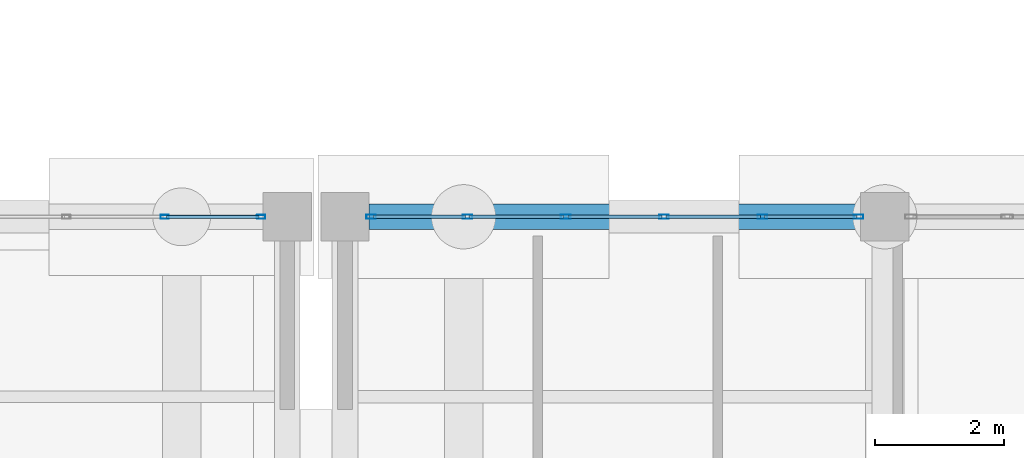
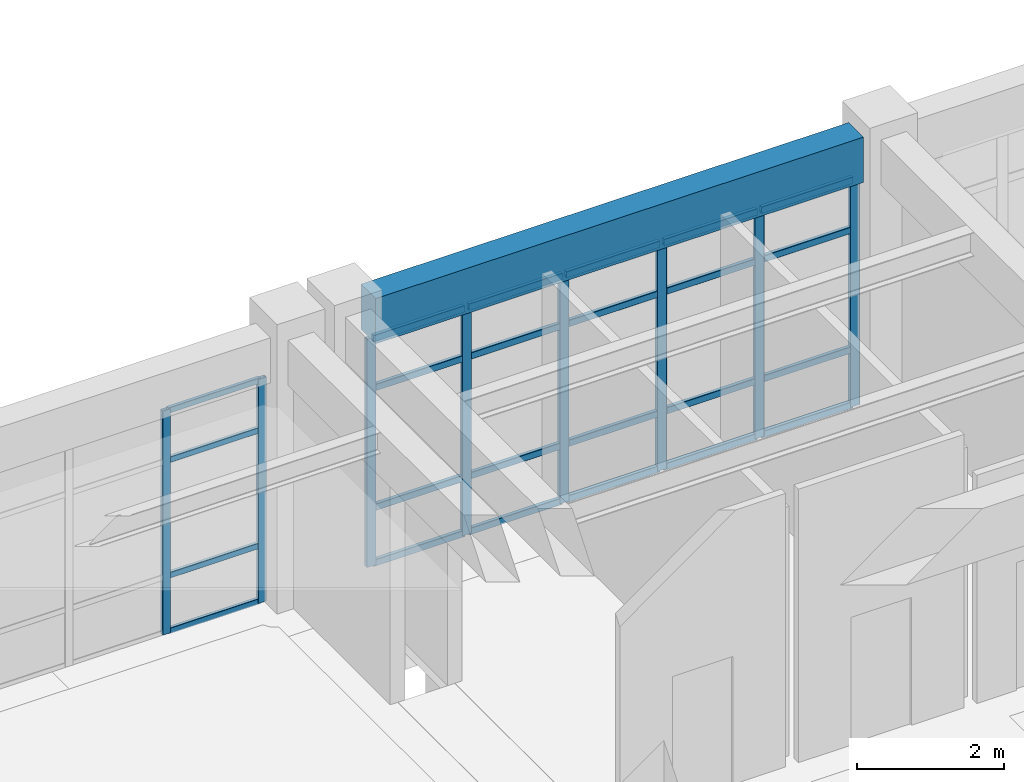
# One storey, part 9 of 29: 32 members, 1 beam, 2 elements without a shape of their own.
"""IFC4 building model written with IfcOpenShell, lengths in metres."""

import ifcopenshell
import ifcopenshell.guid

model = None  # the IFC model being written
_history = None  # IfcOwnerHistory: only IFC2X3 demands one
_inside = {}  # id of a spatial element -> (the spatial element, [elements in it])
_under = {}  # id of a project, library or spatial element -> (it, [spatial elements below it])
_declared = {}  # id of a project -> (the project, [libraries it declares])
_typed = {}  # id of a type object -> (the type object, [elements of that type])
_made_of = {}  # id of a material, layer set ... -> (it, [elements and type objects made of it])


def new_model(schema):
    """Start an empty IFC model of exactly this schema.

    Asked for "IFC4X3", IfcOpenShell would pick the latest addendum, in which some entities
    have other attributes; the version numbers below select the first issue.
    IFC2X3 requires an IfcOwnerHistory on every rooted entity: one is made here for all.
    """
    global model, _history
    if schema == "IFC4X3":
        model = ifcopenshell.file(schema_version=(4, 3, 0, 0))
    else:
        model = ifcopenshell.file(schema=schema)
    _inside.clear()
    _under.clear()
    _declared.clear()
    _typed.clear()
    _made_of.clear()
    _history = None
    if model.schema == "IFC2X3":
        org = make("IfcOrganization", Name="unknown")
        user = make(
            "IfcPersonAndOrganization",
            ThePerson=make("IfcPerson", FamilyName="unknown"),
            TheOrganization=org,
        )
        app = make(
            "IfcApplication",
            ApplicationDeveloper=org,
            Version="unknown",
            ApplicationFullName="unknown",
            ApplicationIdentifier="unknown",
        )
        _history = make(
            "IfcOwnerHistory",
            OwningUser=user,
            OwningApplication=app,
            ChangeAction="ADDED",
            CreationDate=0,
        )
    return model


def make(cls, **values):
    """One entity of the class cls with the attributes given. An attribute that is None is left unset."""
    return model.create_entity(
        cls, **{name: value for name, value in values.items() if value is not None}
    )


def rooted(cls, **values):
    """An entity with a GlobalId (a new one), such as an element, a storey or a relation."""
    return make(cls, GlobalId=ifcopenshell.guid.new(), OwnerHistory=_history, **values)


def si_unit(unit_type, name, prefix=None):
    """IfcSIUnit, for example si_unit("LENGTHUNIT", "METRE", prefix="MILLI")."""
    return make("IfcSIUnit", UnitType=unit_type, Prefix=prefix, Name=name)


def assignment(units):
    """IfcUnitAssignment: the units of a project."""
    return None if units is None else make("IfcUnitAssignment", Units=units)


def point(xyz):
    """IfcCartesianPoint."""
    return None if xyz is None else make("IfcCartesianPoint", Coordinates=xyz)


def direction(xyz):
    """IfcDirection."""
    return None if xyz is None else make("IfcDirection", DirectionRatios=xyz)


def frame(location, z_axis=None, x_axis=None):
    """IfcAxis2Placement3D, a coordinate frame: its origin and axes. An axis left out is left unset."""
    return make(
        "IfcAxis2Placement3D",
        Location=point(location),
        Axis=direction(z_axis),
        RefDirection=direction(x_axis),
    )


def frame_2d(location, x_axis=None):
    """IfcAxis2Placement2D, a coordinate frame in the plane: its origin and x axis."""
    return make(
        "IfcAxis2Placement2D", Location=point(location), RefDirection=direction(x_axis)
    )


def origin():
    """The frame at (0, 0, 0) with its axes left unset."""
    return frame((0.0, 0.0, 0.0))


def origin_2d():
    """The frame at (0, 0) in the plane with its x axis left unset."""
    return frame_2d((0.0, 0.0))


def place(relative_to, where):
    """IfcLocalPlacement: puts the frame where relative to a parent placement (None: the world)."""
    return make(
        "IfcLocalPlacement", PlacementRelTo=relative_to, RelativePlacement=where
    )


def context(
    kind, dimensions, precision=None, world=None, true_north=None, identifier=None
):
    """IfcGeometricRepresentationContext, for example the 3D "Model" context."""
    return make(
        "IfcGeometricRepresentationContext",
        ContextIdentifier=identifier,
        ContextType=kind,
        CoordinateSpaceDimension=dimensions,
        Precision=precision,
        WorldCoordinateSystem=world,
        TrueNorth=true_north,
    )


def subcontext(parent, identifier, kind, view, scale=None):
    """IfcGeometricRepresentationSubContext, for example "Body" below "Model"."""
    return make(
        "IfcGeometricRepresentationSubContext",
        ContextIdentifier=identifier,
        ContextType=kind,
        ParentContext=parent,
        TargetScale=scale,
        TargetView=view,
    )


def project(units=None, contexts=None):
    """IfcProject with its units and contexts."""
    return rooted(
        "IfcProject",
        Name="project",
        RepresentationContexts=contexts,
        UnitsInContext=assignment(units),
    )


def spatial(cls, under=None, at=None, **own):
    """A site, building, storey or space (cls), placed at a placement, below another one or the project."""
    s = rooted(cls, ObjectPlacement=at, **own)
    if under is not None:
        _under.setdefault(under.id(), (under, []))[1].append(s)
    return s


def profile(cls, at=None, kind="AREA", **sizes):
    """A parametric profile (cls). Its sizes go by their IFC names, for example OverallWidth=200.0."""
    return make(cls, ProfileType=kind, Position=at, **sizes)


def rectangle(**sizes):
    """IfcRectangleProfileDef."""
    return profile("IfcRectangleProfileDef", **sizes)


def hollow_rectangle(**sizes):
    """IfcRectangleHollowProfileDef."""
    return profile("IfcRectangleHollowProfileDef", **sizes)


def extrude(swept, where, along, depth):
    """IfcExtrudedAreaSolid: the profile swept, set in the frame where, extruded along a direction by depth."""
    return make(
        "IfcExtrudedAreaSolid",
        SweptArea=swept,
        Position=where,
        ExtrudedDirection=direction(along),
        Depth=depth,
    )


def shape(context_of_items, identifier, shape_type, items):
    """IfcShapeRepresentation: the items that make up one representation, for example the "Body"."""
    return make(
        "IfcShapeRepresentation",
        ContextOfItems=context_of_items,
        RepresentationIdentifier=identifier,
        RepresentationType=shape_type,
        Items=items,
    )


def material(Name=None, Category=None):
    """IfcMaterial."""
    return make("IfcMaterial", Name=Name, Category=Category)


def material_profile(
    of_material, cross_section, Name=None, Category=None, Priority=None
):
    """IfcMaterialProfile: a cross section and its material."""
    return make(
        "IfcMaterialProfile",
        Name=Name,
        Material=of_material,
        Profile=cross_section,
        Priority=Priority,
        Category=Category,
    )


def profile_set(profiles, Name=None, composite=None):
    """IfcMaterialProfileSet."""
    return make(
        "IfcMaterialProfileSet",
        Name=Name,
        MaterialProfiles=profiles,
        CompositeProfile=composite,
    )


def made_of(thing, what):
    """Note that an element or type object is made of a material, layer set ...; save() writes the relation."""
    if what is not None:
        _made_of.setdefault(what.id(), (what, []))[1].append(thing)
    return thing


def type_object(cls, material=None, **own):
    """A type object (cls), such as IfcWallType, which elements share."""
    return made_of(rooted(cls, **own), material)


def element(
    cls,
    number,
    at=None,
    inside=None,
    cuts=None,
    type_object=None,
    material=None,
    context=None,
    identifier="Body",
    shape_type=None,
    held_by="IfcProductDefinitionShape",
    body=None,
    shapes=None,
    **own,
):
    """One element of the class cls, such as IfcWall. Its Tag is "e" and its number.

    at: its placement. inside: the storey or other place that contains it. cuts: it is an
    opening in that element (IfcRelVoidsElement). A single representation is given by context,
    identifier, shape_type and body (its items); several are given by shapes. held_by: the class
    of the entity that holds the representations. save() writes the other relations.
    """
    e = rooted(cls, Tag="e%d" % number, ObjectPlacement=at, **own)
    if body is not None:
        shapes = [shape(context, identifier, shape_type, body)]
    if shapes is not None:
        e.Representation = make(held_by, Representations=shapes)
    if inside is not None:
        _inside.setdefault(inside.id(), (inside, []))[1].append(e)
    if cuts is not None:
        rooted(
            "IfcRelVoidsElement", RelatingBuildingElement=cuts, RelatedOpeningElement=e
        )
    if type_object is not None:
        _typed.setdefault(type_object.id(), (type_object, []))[1].append(e)
    return made_of(e, material)


def aggregate(whole, parts):
    """IfcRelAggregates: a whole, such as a stair, and the parts it consists of."""
    return rooted("IfcRelAggregates", RelatingObject=whole, RelatedObjects=parts)


def save(model, path):
    """Write the relations noted so far, then the file.

    IfcRelAggregates (storeys below a building ...), IfcRelContainedInSpatialStructure (elements
    in a storey), IfcRelDefinesByType, IfcRelAssociatesMaterial and IfcRelDeclares: one each for
    every whole, place, type object, material and project.
    """
    for whole, parts in _under.values():
        aggregate(whole, parts)
    for where, things in _inside.values():
        rooted(
            "IfcRelContainedInSpatialStructure",
            RelatedElements=things,
            RelatingStructure=where,
        )
    for kind, things in _typed.values():
        rooted("IfcRelDefinesByType", RelatedObjects=things, RelatingType=kind)
    for what, things in _made_of.values():
        rooted("IfcRelAssociatesMaterial", RelatedObjects=things, RelatingMaterial=what)
    for by, libraries in _declared.values():
        rooted("IfcRelDeclares", RelatingContext=by, RelatedDefinitions=libraries)
    model.write(path)


model = new_model("IFC4")

# Units and contexts
model_context = context("Model", 3, precision=1e-05, world=origin(), true_north=direction((0.0, 1.0)))
body_context = subcontext(model_context, "Body", "Model", "MODEL_VIEW")
ifc_project = project(units=[si_unit("LENGTHUNIT", "METRE"), si_unit("AREAUNIT", "SQUARE_METRE"), si_unit("VOLUMEUNIT", "CUBIC_METRE"), si_unit("PLANEANGLEUNIT", "RADIAN"), si_unit("MASSUNIT", "GRAM", prefix="KILO")], contexts=[model_context])

# Site, building, storey
site_placement = place(None, origin())
site = spatial("IfcSite", under=ifc_project, at=site_placement, CompositionType="ELEMENT")
building_placement = place(site_placement, origin())
building = spatial("IfcBuilding", under=site, at=building_placement, Name="Canglan Escarpment Cableway Terminal", CompositionType="ELEMENT")
storey_placement = place(building_placement, origin())
storey = spatial("IfcBuildingStorey", under=building, at=storey_placement, Name="L00", CompositionType="ELEMENT", Elevation=0.0)

# Curtain wall, members
ifc_material_1 = material(Name="Anodized bronze aluminium and Low-E double glazing", Category="aluminium")
curtain_wall_type_1 = type_object("IfcCurtainWallType", Name="CW-BAY-7650x3725", PredefinedType="NOTDEFINED", material=ifc_material_1)
curtain_wall_1_placement = place(storey_placement, origin())
curtain_wall_1 = element("IfcCurtainWall", 1, at=curtain_wall_1_placement, inside=storey, type_object=curtain_wall_type_1, Name="Classical bay-between-piers glazed curtain wall CW-01", PredefinedType="NOTDEFINED")
ifc_material_2 = material(Name="Thermally broken anodized aluminium 6063-T6", Category="aluminium")
ifc_material_profile_1 = material_profile(ifc_material_2, hollow_rectangle(XDim=0.06005859375, YDim=0.1298828125, WallThickness=0.0029296875, InnerFilletRadius=0.0029296875, OuterFilletRadius=0.006103515625, at=origin_2d()), Name="ALU-MULL 60x130x3")
ifc_profile_set_1 = profile_set([ifc_material_profile_1], Name="Thermally broken anodized aluminium 6063-T6")
member_type_1 = type_object("IfcMemberType", Name="CWM-01", PredefinedType="MULLION", material=ifc_profile_set_1)
member_1_placement = place(storey_placement, frame((41.195068359375, 24.800048828125, 0.0), z_axis=(0.0, 0.0, 1.0), x_axis=(0.0, -1.0, 0.0)))
member_1 = element("IfcMember", 2, at=member_1_placement, type_object=member_type_1, Name="CW-01 mullion 1", PredefinedType="MULLION", context=body_context, shape_type="SweptSolid", body=[
    extrude(hollow_rectangle(XDim=0.06005859375, YDim=0.1298828125, WallThickness=0.0029296875, InnerFilletRadius=0.0029296875, OuterFilletRadius=0.006103515625, at=origin_2d()), origin(), (0.0, 0.0, 1.0), 3.715087890625),
])
member_2_placement = place(storey_placement, frame((39.695068359375, 24.800048828125, 0.0), z_axis=(0.0, 0.0, 1.0), x_axis=(0.0, -1.0, 0.0)))
member_2 = element("IfcMember", 3, at=member_2_placement, type_object=member_type_1, Name="CW-01 mullion 2", PredefinedType="MULLION", context=body_context, shape_type="SweptSolid", body=[
    extrude(hollow_rectangle(XDim=0.06005859375, YDim=0.1298828125, WallThickness=0.0029296875, InnerFilletRadius=0.0029296875, OuterFilletRadius=0.006103515625, at=origin_2d()), origin(), (0.0, 0.0, 1.0), 3.715087890625),
])

curtain_wall_type_2 = type_object("IfcCurtainWallType", Name="CW-BAY-7650x3775", PredefinedType="NOTDEFINED", material=ifc_material_1)
curtain_wall_2_placement = place(storey_placement, origin())
curtain_wall_2 = element("IfcCurtainWall", 4, at=curtain_wall_2_placement, inside=storey, type_object=curtain_wall_type_2, Name="Classical bay-between-piers glazed curtain wall CW-03", PredefinedType="NOTDEFINED")
ifc_material_profile_2 = material_profile(ifc_material_2, hollow_rectangle(XDim=0.06494140625, YDim=0.14990234375, WallThickness=0.00341796875, InnerFilletRadius=0.00341796875, OuterFilletRadius=0.007080078125, at=origin_2d()), Name="ALU-MULL 65x150x3.5")
ifc_profile_set_2 = profile_set([ifc_material_profile_2], Name="Thermally broken anodized aluminium 6063-T6")
member_type_2 = type_object("IfcMemberType", Name="CWM-02", PredefinedType="MULLION", material=ifc_profile_set_2)
member_3_placement = place(storey_placement, frame((50.492431640625, 24.800048828125, 0.0), z_axis=(0.0, 0.0, 1.0), x_axis=(0.0, -1.0, 0.0)))
member_3 = element("IfcMember", 5, at=member_3_placement, type_object=member_type_2, Name="CW-03 mullion 1", PredefinedType="MULLION", context=body_context, shape_type="SweptSolid", body=[
    extrude(hollow_rectangle(XDim=0.06494140625, YDim=0.14990234375, WallThickness=0.00341796875, InnerFilletRadius=0.00341796875, OuterFilletRadius=0.007080078125, at=origin_2d()), origin(), (0.0, 0.0, 1.0), 3.784912109375),
])
member_4_placement = place(storey_placement, frame((48.9951171875, 24.800048828125, 0.0), z_axis=(0.0, 0.0, 1.0), x_axis=(0.0, -1.0, 0.0)))
member_4 = element("IfcMember", 6, at=member_4_placement, type_object=member_type_2, Name="CW-03 mullion 2", PredefinedType="MULLION", context=body_context, shape_type="SweptSolid", body=[
    extrude(hollow_rectangle(XDim=0.06494140625, YDim=0.14990234375, WallThickness=0.00341796875, InnerFilletRadius=0.00341796875, OuterFilletRadius=0.007080078125, at=origin_2d()), origin(), (0.0, 0.0, 1.0), 3.784912109375),
])
member_5_placement = place(storey_placement, frame((47.465087890625, 24.800048828125, 0.0), z_axis=(0.0, 0.0, 1.0), x_axis=(0.0, -1.0, 0.0)))
member_5 = element("IfcMember", 7, at=member_5_placement, type_object=member_type_2, Name="CW-03 mullion 3", PredefinedType="MULLION", context=body_context, shape_type="SweptSolid", body=[
    extrude(hollow_rectangle(XDim=0.06494140625, YDim=0.14990234375, WallThickness=0.00341796875, InnerFilletRadius=0.00341796875, OuterFilletRadius=0.007080078125, at=origin_2d()), origin(), (0.0, 0.0, 1.0), 3.784912109375),
])
member_6_placement = place(storey_placement, frame((45.93505859375, 24.800048828125, 0.0), z_axis=(0.0, 0.0, 1.0), x_axis=(0.0, -1.0, 0.0)))
member_6 = element("IfcMember", 8, at=member_6_placement, type_object=member_type_2, Name="CW-03 mullion 4", PredefinedType="MULLION", context=body_context, shape_type="SweptSolid", body=[
    extrude(hollow_rectangle(XDim=0.06494140625, YDim=0.14990234375, WallThickness=0.00341796875, InnerFilletRadius=0.00341796875, OuterFilletRadius=0.007080078125, at=origin_2d()), origin(), (0.0, 0.0, 1.0), 3.784912109375),
])
member_7_placement = place(storey_placement, frame((44.405029296875, 24.800048828125, 0.0), z_axis=(0.0, 0.0, 1.0), x_axis=(0.0, -1.0, 0.0)))
member_7 = element("IfcMember", 9, at=member_7_placement, type_object=member_type_2, Name="CW-03 mullion 5", PredefinedType="MULLION", context=body_context, shape_type="SweptSolid", body=[
    extrude(hollow_rectangle(XDim=0.06494140625, YDim=0.14990234375, WallThickness=0.00341796875, InnerFilletRadius=0.00341796875, OuterFilletRadius=0.007080078125, at=origin_2d()), origin(), (0.0, 0.0, 1.0), 3.784912109375),
])
member_8_placement = place(storey_placement, frame((42.907470703125, 24.800048828125, 0.0), z_axis=(0.0, 0.0, 1.0), x_axis=(0.0, -1.0, 0.0)))
member_8 = element("IfcMember", 10, at=member_8_placement, type_object=member_type_2, Name="CW-03 mullion 6", PredefinedType="MULLION", context=body_context, shape_type="SweptSolid", body=[
    extrude(hollow_rectangle(XDim=0.06494140625, YDim=0.14990234375, WallThickness=0.00341796875, InnerFilletRadius=0.00341796875, OuterFilletRadius=0.007080078125, at=origin_2d()), origin(), (0.0, 0.0, 1.0), 3.784912109375),
])

# Member
ifc_material_profile_3 = material_profile(ifc_material_2, hollow_rectangle(XDim=0.054931640625, YDim=0.094970703125, WallThickness=0.0029296875, InnerFilletRadius=0.0029296875, OuterFilletRadius=0.006103515625, at=origin_2d()), Name="ALU-TRAN 55x95x3")
ifc_profile_set_3 = profile_set([ifc_material_profile_3], Name="Thermally broken anodized aluminium 6063-T6")
member_type_3 = type_object("IfcMemberType", Name="CWT-01", PredefinedType="USERDEFINED", material=ifc_profile_set_3)
member_9_placement = place(storey_placement, frame((41.1650390625, 24.800048828125, 0.027587890625), z_axis=(-1.0, 0.0, 0.0), x_axis=(0.0, -1.0, 0.0)))
member_9 = element("IfcMember", 11, at=member_9_placement, type_object=member_type_3, Name="CW-01 transom 1.1", ObjectType="TRANSOM", PredefinedType="USERDEFINED", context=body_context, shape_type="SweptSolid", body=[
    extrude(hollow_rectangle(XDim=0.054931640625, YDim=0.094970703125, WallThickness=0.0029296875, InnerFilletRadius=0.0029296875, OuterFilletRadius=0.006103515625, at=origin_2d()), origin(), (0.0, 0.0, 1.0), 1.43994140625),
])

member_10_placement = place(storey_placement, frame((41.1650390625, 24.800048828125, 0.949951171875), z_axis=(-1.0, 0.0, 0.0), x_axis=(0.0, -1.0, 0.0)))
member_10 = element("IfcMember", 12, at=member_10_placement, type_object=member_type_3, Name="CW-01 transom 1.2", ObjectType="TRANSOM", PredefinedType="USERDEFINED", context=body_context, shape_type="SweptSolid", body=[
    extrude(hollow_rectangle(XDim=0.054931640625, YDim=0.094970703125, WallThickness=0.0029296875, InnerFilletRadius=0.0029296875, OuterFilletRadius=0.006103515625, at=origin_2d()), origin(), (0.0, 0.0, 1.0), 1.43994140625),
])

member_11_placement = place(storey_placement, frame((41.1650390625, 24.800048828125, 2.864990234375), z_axis=(-1.0, 0.0, 0.0), x_axis=(0.0, -1.0, 0.0)))
member_11 = element("IfcMember", 13, at=member_11_placement, type_object=member_type_3, Name="CW-01 transom 1.3", ObjectType="TRANSOM", PredefinedType="USERDEFINED", context=body_context, shape_type="SweptSolid", body=[
    extrude(hollow_rectangle(XDim=0.054931640625, YDim=0.094970703125, WallThickness=0.0029296875, InnerFilletRadius=0.0029296875, OuterFilletRadius=0.006103515625, at=origin_2d()), origin(), (0.0, 0.0, 1.0), 1.43994140625),
])

member_12_placement = place(storey_placement, frame((41.1650390625, 24.800048828125, 3.6875), z_axis=(-1.0, 0.0, 0.0), x_axis=(0.0, -1.0, 0.0)))
member_12 = element("IfcMember", 14, at=member_12_placement, type_object=member_type_3, Name="CW-01 transom 1.4", ObjectType="TRANSOM", PredefinedType="USERDEFINED", context=body_context, shape_type="SweptSolid", body=[
    extrude(hollow_rectangle(XDim=0.054931640625, YDim=0.094970703125, WallThickness=0.0029296875, InnerFilletRadius=0.0029296875, OuterFilletRadius=0.006103515625, at=origin_2d()), origin(), (0.0, 0.0, 1.0), 1.43994140625),
])

aggregate(curtain_wall_1, [member_1, member_2, member_9, member_10, member_11, member_12])

ifc_material_profile_4 = material_profile(ifc_material_2, hollow_rectangle(XDim=0.06005859375, YDim=0.110107421875, WallThickness=0.0029296875, InnerFilletRadius=0.0029296875, OuterFilletRadius=0.006103515625, at=origin_2d()), Name="ALU-TRAN 60x110x3")
ifc_profile_set_4 = profile_set([ifc_material_profile_4], Name="Thermally broken anodized aluminium 6063-T6")
member_type_4 = type_object("IfcMemberType", Name="CWT-02", PredefinedType="USERDEFINED", material=ifc_profile_set_4)
member_13_placement = place(storey_placement, frame((50.4599609375, 24.800048828125, 0.030029296875), z_axis=(-1.0, 0.0, 0.0), x_axis=(0.0, -1.0, 0.0)))
member_13 = element("IfcMember", 15, at=member_13_placement, type_object=member_type_4, Name="CW-03 transom 1.1", ObjectType="TRANSOM", PredefinedType="USERDEFINED", context=body_context, shape_type="SweptSolid", body=[
    extrude(hollow_rectangle(XDim=0.06005859375, YDim=0.110107421875, WallThickness=0.0029296875, InnerFilletRadius=0.0029296875, OuterFilletRadius=0.006103515625, at=origin_2d()), origin(), (0.0, 0.0, 1.0), 1.432373046875),
])

member_14_placement = place(storey_placement, frame((50.4599609375, 24.800048828125, 0.949951171875), z_axis=(-1.0, 0.0, 0.0), x_axis=(0.0, -1.0, 0.0)))
member_14 = element("IfcMember", 16, at=member_14_placement, type_object=member_type_4, Name="CW-03 transom 1.2", ObjectType="TRANSOM", PredefinedType="USERDEFINED", context=body_context, shape_type="SweptSolid", body=[
    extrude(hollow_rectangle(XDim=0.06005859375, YDim=0.110107421875, WallThickness=0.0029296875, InnerFilletRadius=0.0029296875, OuterFilletRadius=0.006103515625, at=origin_2d()), origin(), (0.0, 0.0, 1.0), 1.432373046875),
])

member_15_placement = place(storey_placement, frame((50.4599609375, 24.800048828125, 2.93505859375), z_axis=(-1.0, 0.0, 0.0), x_axis=(0.0, -1.0, 0.0)))
member_15 = element("IfcMember", 17, at=member_15_placement, type_object=member_type_4, Name="CW-03 transom 1.3", ObjectType="TRANSOM", PredefinedType="USERDEFINED", context=body_context, shape_type="SweptSolid", body=[
    extrude(hollow_rectangle(XDim=0.06005859375, YDim=0.110107421875, WallThickness=0.0029296875, InnerFilletRadius=0.0029296875, OuterFilletRadius=0.006103515625, at=origin_2d()), origin(), (0.0, 0.0, 1.0), 1.432373046875),
])

member_16_placement = place(storey_placement, frame((50.4599609375, 24.800048828125, 3.7548828125), z_axis=(-1.0, 0.0, 0.0), x_axis=(0.0, -1.0, 0.0)))
member_16 = element("IfcMember", 18, at=member_16_placement, type_object=member_type_4, Name="CW-03 transom 1.4", ObjectType="TRANSOM", PredefinedType="USERDEFINED", context=body_context, shape_type="SweptSolid", body=[
    extrude(hollow_rectangle(XDim=0.06005859375, YDim=0.110107421875, WallThickness=0.0029296875, InnerFilletRadius=0.0029296875, OuterFilletRadius=0.006103515625, at=origin_2d()), origin(), (0.0, 0.0, 1.0), 1.432373046875),
])

member_17_placement = place(storey_placement, frame((48.96240234375, 24.800048828125, 0.030029296875), z_axis=(-1.0, 0.0, 0.0), x_axis=(0.0, -1.0, 0.0)))
member_17 = element("IfcMember", 19, at=member_17_placement, type_object=member_type_4, Name="CW-03 transom 2.1", ObjectType="TRANSOM", PredefinedType="USERDEFINED", context=body_context, shape_type="SweptSolid", body=[
    extrude(hollow_rectangle(XDim=0.06005859375, YDim=0.110107421875, WallThickness=0.0029296875, InnerFilletRadius=0.0029296875, OuterFilletRadius=0.006103515625, at=origin_2d()), origin(), (0.0, 0.0, 1.0), 1.46484375),
])

member_18_placement = place(storey_placement, frame((48.96240234375, 24.800048828125, 0.949951171875), z_axis=(-1.0, 0.0, 0.0), x_axis=(0.0, -1.0, 0.0)))
member_18 = element("IfcMember", 20, at=member_18_placement, type_object=member_type_4, Name="CW-03 transom 2.2", ObjectType="TRANSOM", PredefinedType="USERDEFINED", context=body_context, shape_type="SweptSolid", body=[
    extrude(hollow_rectangle(XDim=0.06005859375, YDim=0.110107421875, WallThickness=0.0029296875, InnerFilletRadius=0.0029296875, OuterFilletRadius=0.006103515625, at=origin_2d()), origin(), (0.0, 0.0, 1.0), 1.46484375),
])

member_19_placement = place(storey_placement, frame((48.96240234375, 24.800048828125, 2.93505859375), z_axis=(-1.0, 0.0, 0.0), x_axis=(0.0, -1.0, 0.0)))
member_19 = element("IfcMember", 21, at=member_19_placement, type_object=member_type_4, Name="CW-03 transom 2.3", ObjectType="TRANSOM", PredefinedType="USERDEFINED", context=body_context, shape_type="SweptSolid", body=[
    extrude(hollow_rectangle(XDim=0.06005859375, YDim=0.110107421875, WallThickness=0.0029296875, InnerFilletRadius=0.0029296875, OuterFilletRadius=0.006103515625, at=origin_2d()), origin(), (0.0, 0.0, 1.0), 1.46484375),
])

member_20_placement = place(storey_placement, frame((48.96240234375, 24.800048828125, 3.7548828125), z_axis=(-1.0, 0.0, 0.0), x_axis=(0.0, -1.0, 0.0)))
member_20 = element("IfcMember", 22, at=member_20_placement, type_object=member_type_4, Name="CW-03 transom 2.4", ObjectType="TRANSOM", PredefinedType="USERDEFINED", context=body_context, shape_type="SweptSolid", body=[
    extrude(hollow_rectangle(XDim=0.06005859375, YDim=0.110107421875, WallThickness=0.0029296875, InnerFilletRadius=0.0029296875, OuterFilletRadius=0.006103515625, at=origin_2d()), origin(), (0.0, 0.0, 1.0), 1.46484375),
])

member_21_placement = place(storey_placement, frame((47.4326171875, 24.800048828125, 0.030029296875), z_axis=(-1.0, 0.0, 0.0), x_axis=(0.0, -1.0, 0.0)))
member_21 = element("IfcMember", 23, at=member_21_placement, type_object=member_type_4, Name="CW-03 transom 3.1", ObjectType="TRANSOM", PredefinedType="USERDEFINED", context=body_context, shape_type="SweptSolid", body=[
    extrude(hollow_rectangle(XDim=0.06005859375, YDim=0.110107421875, WallThickness=0.0029296875, InnerFilletRadius=0.0029296875, OuterFilletRadius=0.006103515625, at=origin_2d()), origin(), (0.0, 0.0, 1.0), 1.465087890625),
])

member_22_placement = place(storey_placement, frame((47.4326171875, 24.800048828125, 0.949951171875), z_axis=(-1.0, 0.0, 0.0), x_axis=(0.0, -1.0, 0.0)))
member_22 = element("IfcMember", 24, at=member_22_placement, type_object=member_type_4, Name="CW-03 transom 3.2", ObjectType="TRANSOM", PredefinedType="USERDEFINED", context=body_context, shape_type="SweptSolid", body=[
    extrude(hollow_rectangle(XDim=0.06005859375, YDim=0.110107421875, WallThickness=0.0029296875, InnerFilletRadius=0.0029296875, OuterFilletRadius=0.006103515625, at=origin_2d()), origin(), (0.0, 0.0, 1.0), 1.465087890625),
])

member_23_placement = place(storey_placement, frame((47.4326171875, 24.800048828125, 2.93505859375), z_axis=(-1.0, 0.0, 0.0), x_axis=(0.0, -1.0, 0.0)))
member_23 = element("IfcMember", 25, at=member_23_placement, type_object=member_type_4, Name="CW-03 transom 3.3", ObjectType="TRANSOM", PredefinedType="USERDEFINED", context=body_context, shape_type="SweptSolid", body=[
    extrude(hollow_rectangle(XDim=0.06005859375, YDim=0.110107421875, WallThickness=0.0029296875, InnerFilletRadius=0.0029296875, OuterFilletRadius=0.006103515625, at=origin_2d()), origin(), (0.0, 0.0, 1.0), 1.465087890625),
])

member_24_placement = place(storey_placement, frame((47.4326171875, 24.800048828125, 3.7548828125), z_axis=(-1.0, 0.0, 0.0), x_axis=(0.0, -1.0, 0.0)))
member_24 = element("IfcMember", 26, at=member_24_placement, type_object=member_type_4, Name="CW-03 transom 3.4", ObjectType="TRANSOM", PredefinedType="USERDEFINED", context=body_context, shape_type="SweptSolid", body=[
    extrude(hollow_rectangle(XDim=0.06005859375, YDim=0.110107421875, WallThickness=0.0029296875, InnerFilletRadius=0.0029296875, OuterFilletRadius=0.006103515625, at=origin_2d()), origin(), (0.0, 0.0, 1.0), 1.465087890625),
])

member_25_placement = place(storey_placement, frame((45.902587890625, 24.800048828125, 0.030029296875), z_axis=(-1.0, 0.0, 0.0), x_axis=(0.0, -1.0, 0.0)))
member_25 = element("IfcMember", 27, at=member_25_placement, type_object=member_type_4, Name="CW-03 transom 4.1", ObjectType="TRANSOM", PredefinedType="USERDEFINED", context=body_context, shape_type="SweptSolid", body=[
    extrude(hollow_rectangle(XDim=0.06005859375, YDim=0.110107421875, WallThickness=0.0029296875, InnerFilletRadius=0.0029296875, OuterFilletRadius=0.006103515625, at=origin_2d()), origin(), (0.0, 0.0, 1.0), 1.465087890625),
])

member_26_placement = place(storey_placement, frame((45.902587890625, 24.800048828125, 0.949951171875), z_axis=(-1.0, 0.0, 0.0), x_axis=(0.0, -1.0, 0.0)))
member_26 = element("IfcMember", 28, at=member_26_placement, type_object=member_type_4, Name="CW-03 transom 4.2", ObjectType="TRANSOM", PredefinedType="USERDEFINED", context=body_context, shape_type="SweptSolid", body=[
    extrude(hollow_rectangle(XDim=0.06005859375, YDim=0.110107421875, WallThickness=0.0029296875, InnerFilletRadius=0.0029296875, OuterFilletRadius=0.006103515625, at=origin_2d()), origin(), (0.0, 0.0, 1.0), 1.465087890625),
])

member_27_placement = place(storey_placement, frame((45.902587890625, 24.800048828125, 2.93505859375), z_axis=(-1.0, 0.0, 0.0), x_axis=(0.0, -1.0, 0.0)))
member_27 = element("IfcMember", 29, at=member_27_placement, type_object=member_type_4, Name="CW-03 transom 4.3", ObjectType="TRANSOM", PredefinedType="USERDEFINED", context=body_context, shape_type="SweptSolid", body=[
    extrude(hollow_rectangle(XDim=0.06005859375, YDim=0.110107421875, WallThickness=0.0029296875, InnerFilletRadius=0.0029296875, OuterFilletRadius=0.006103515625, at=origin_2d()), origin(), (0.0, 0.0, 1.0), 1.465087890625),
])

member_28_placement = place(storey_placement, frame((45.902587890625, 24.800048828125, 3.7548828125), z_axis=(-1.0, 0.0, 0.0), x_axis=(0.0, -1.0, 0.0)))
member_28 = element("IfcMember", 30, at=member_28_placement, type_object=member_type_4, Name="CW-03 transom 4.4", ObjectType="TRANSOM", PredefinedType="USERDEFINED", context=body_context, shape_type="SweptSolid", body=[
    extrude(hollow_rectangle(XDim=0.06005859375, YDim=0.110107421875, WallThickness=0.0029296875, InnerFilletRadius=0.0029296875, OuterFilletRadius=0.006103515625, at=origin_2d()), origin(), (0.0, 0.0, 1.0), 1.465087890625),
])

member_29_placement = place(storey_placement, frame((44.37255859375, 24.800048828125, 0.030029296875), z_axis=(-1.0, 0.0, 0.0), x_axis=(0.0, -1.0, 0.0)))
member_29 = element("IfcMember", 31, at=member_29_placement, type_object=member_type_4, Name="CW-03 transom 5.1", ObjectType="TRANSOM", PredefinedType="USERDEFINED", context=body_context, shape_type="SweptSolid", body=[
    extrude(hollow_rectangle(XDim=0.06005859375, YDim=0.110107421875, WallThickness=0.0029296875, InnerFilletRadius=0.0029296875, OuterFilletRadius=0.006103515625, at=origin_2d()), origin(), (0.0, 0.0, 1.0), 1.4326171875),
])

member_30_placement = place(storey_placement, frame((44.37255859375, 24.800048828125, 0.949951171875), z_axis=(-1.0, 0.0, 0.0), x_axis=(0.0, -1.0, 0.0)))
member_30 = element("IfcMember", 32, at=member_30_placement, type_object=member_type_4, Name="CW-03 transom 5.2", ObjectType="TRANSOM", PredefinedType="USERDEFINED", context=body_context, shape_type="SweptSolid", body=[
    extrude(hollow_rectangle(XDim=0.06005859375, YDim=0.110107421875, WallThickness=0.0029296875, InnerFilletRadius=0.0029296875, OuterFilletRadius=0.006103515625, at=origin_2d()), origin(), (0.0, 0.0, 1.0), 1.4326171875),
])

member_31_placement = place(storey_placement, frame((44.37255859375, 24.800048828125, 2.93505859375), z_axis=(-1.0, 0.0, 0.0), x_axis=(0.0, -1.0, 0.0)))
member_31 = element("IfcMember", 33, at=member_31_placement, type_object=member_type_4, Name="CW-03 transom 5.3", ObjectType="TRANSOM", PredefinedType="USERDEFINED", context=body_context, shape_type="SweptSolid", body=[
    extrude(hollow_rectangle(XDim=0.06005859375, YDim=0.110107421875, WallThickness=0.0029296875, InnerFilletRadius=0.0029296875, OuterFilletRadius=0.006103515625, at=origin_2d()), origin(), (0.0, 0.0, 1.0), 1.4326171875),
])

member_32_placement = place(storey_placement, frame((44.37255859375, 24.800048828125, 3.7548828125), z_axis=(-1.0, 0.0, 0.0), x_axis=(0.0, -1.0, 0.0)))
member_32 = element("IfcMember", 34, at=member_32_placement, type_object=member_type_4, Name="CW-03 transom 5.4", ObjectType="TRANSOM", PredefinedType="USERDEFINED", context=body_context, shape_type="SweptSolid", body=[
    extrude(hollow_rectangle(XDim=0.06005859375, YDim=0.110107421875, WallThickness=0.0029296875, InnerFilletRadius=0.0029296875, OuterFilletRadius=0.006103515625, at=origin_2d()), origin(), (0.0, 0.0, 1.0), 1.4326171875),
])

aggregate(curtain_wall_2, [member_3, member_4, member_5, member_6, member_7, member_8, member_13, member_14, member_15, member_16, member_17, member_18, member_19, member_20, member_21, member_22, member_23, member_24, member_25, member_26, member_27, member_28, member_29, member_30, member_31, member_32])

# Beam
ifc_material_3 = material(Name="Concrete C40", Category="concrete")
ifc_material_profile_5 = material_profile(ifc_material_3, rectangle(XDim=0.39990234375, YDim=0.75, at=origin_2d()), Name="RC 400x750")
ifc_profile_set_5 = profile_set([ifc_material_profile_5], Name="Concrete C40")
beam_type = type_object("IfcBeamType", Name="SP-RC400x750", PredefinedType="SPANDREL", material=ifc_profile_set_5)
beam_placement = place(storey_placement, frame((42.875, 24.800048828125, 4.175048828125), z_axis=(1.0, 0.0, 0.0), x_axis=(0.0, 1.0, 0.0)))
element("IfcBeam", 35, at=beam_placement, inside=storey, type_object=beam_type, Name="Primary structural girder SP-01", PredefinedType="SPANDREL", context=body_context, shape_type="SweptSolid", body=[
    extrude(rectangle(XDim=0.39990234375, YDim=0.75, at=origin_2d()), origin(), (0.0, 0.0, 1.0), 7.64990234375),
])

save(model, "model.ifc")
